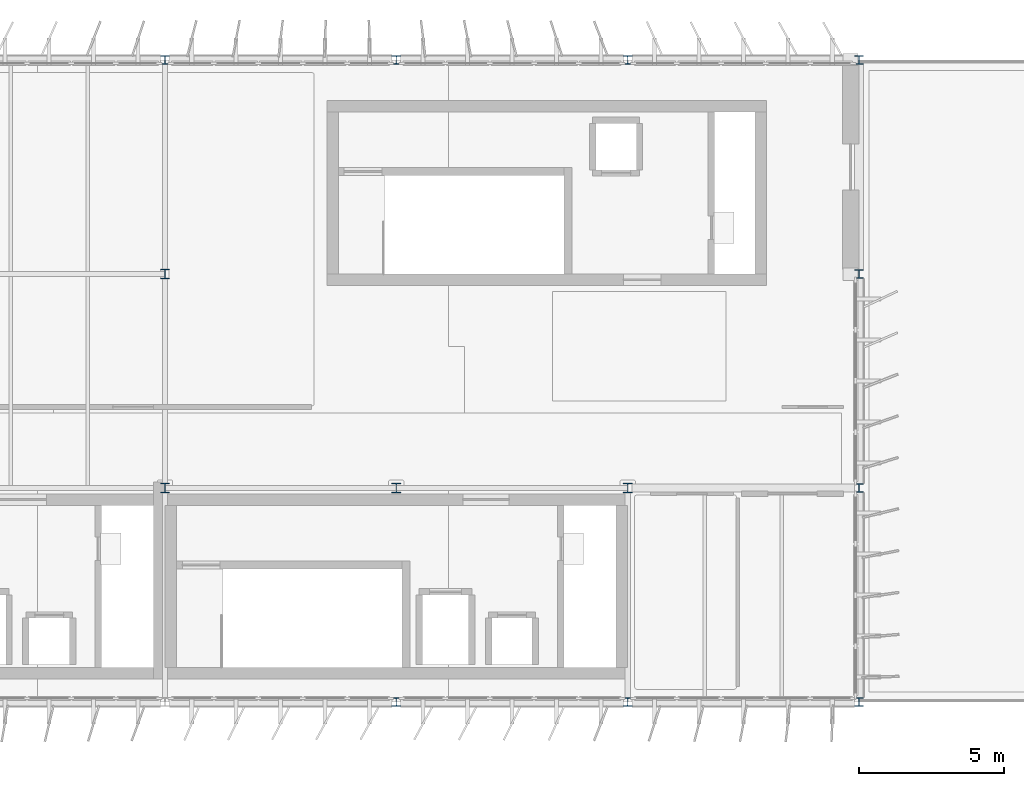
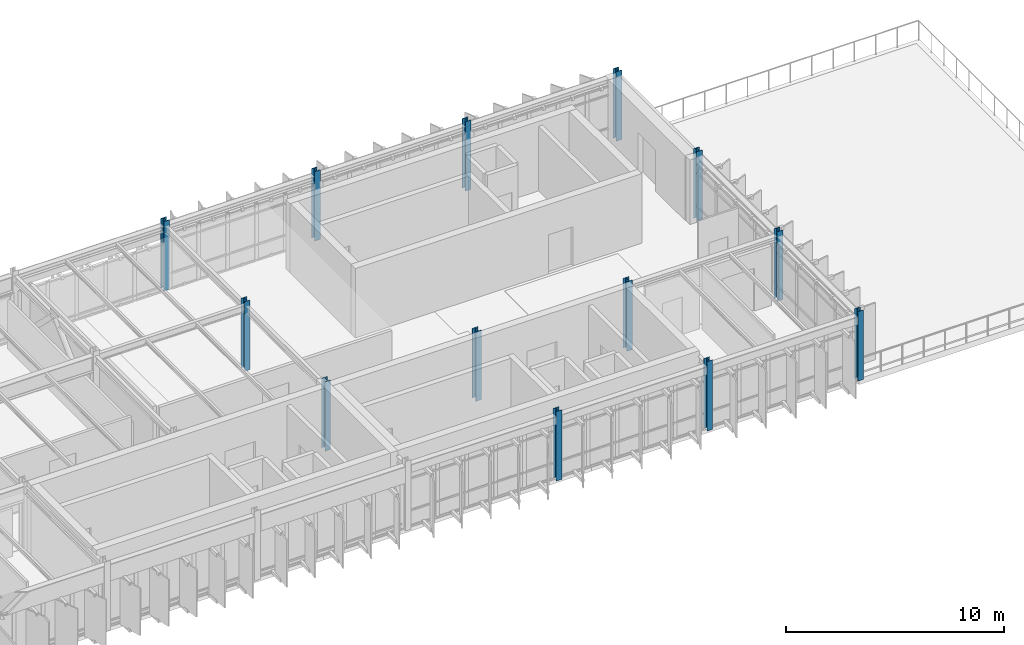
# One storey, part 2 of 20: 13 columns.
"""IFC4 building model written with IfcOpenShell, lengths in metres."""

import ifcopenshell
import ifcopenshell.guid

model = None  # the IFC model being written
_history = None  # IfcOwnerHistory: only IFC2X3 demands one
_inside = {}  # id of a spatial element -> (the spatial element, [elements in it])
_under = {}  # id of a project, library or spatial element -> (it, [spatial elements below it])
_declared = {}  # id of a project -> (the project, [libraries it declares])
_typed = {}  # id of a type object -> (the type object, [elements of that type])
_made_of = {}  # id of a material, layer set ... -> (it, [elements and type objects made of it])


def new_model(schema):
    """Start an empty IFC model of exactly this schema.

    Asked for "IFC4X3", IfcOpenShell would pick the latest addendum, in which some entities
    have other attributes; the version numbers below select the first issue.
    IFC2X3 requires an IfcOwnerHistory on every rooted entity: one is made here for all.
    """
    global model, _history
    if schema == "IFC4X3":
        model = ifcopenshell.file(schema_version=(4, 3, 0, 0))
    else:
        model = ifcopenshell.file(schema=schema)
    _inside.clear()
    _under.clear()
    _declared.clear()
    _typed.clear()
    _made_of.clear()
    _history = None
    if model.schema == "IFC2X3":
        org = make("IfcOrganization", Name="unknown")
        user = make(
            "IfcPersonAndOrganization",
            ThePerson=make("IfcPerson", FamilyName="unknown"),
            TheOrganization=org,
        )
        app = make(
            "IfcApplication",
            ApplicationDeveloper=org,
            Version="unknown",
            ApplicationFullName="unknown",
            ApplicationIdentifier="unknown",
        )
        _history = make(
            "IfcOwnerHistory",
            OwningUser=user,
            OwningApplication=app,
            ChangeAction="ADDED",
            CreationDate=0,
        )
    return model


def make(cls, **values):
    """One entity of the class cls with the attributes given. An attribute that is None is left unset."""
    return model.create_entity(
        cls, **{name: value for name, value in values.items() if value is not None}
    )


def rooted(cls, **values):
    """An entity with a GlobalId (a new one), such as an element, a storey or a relation."""
    return make(cls, GlobalId=ifcopenshell.guid.new(), OwnerHistory=_history, **values)


def si_unit(unit_type, name, prefix=None):
    """IfcSIUnit, for example si_unit("LENGTHUNIT", "METRE", prefix="MILLI")."""
    return make("IfcSIUnit", UnitType=unit_type, Prefix=prefix, Name=name)


def assignment(units):
    """IfcUnitAssignment: the units of a project."""
    return None if units is None else make("IfcUnitAssignment", Units=units)


def point(xyz):
    """IfcCartesianPoint."""
    return None if xyz is None else make("IfcCartesianPoint", Coordinates=xyz)


def direction(xyz):
    """IfcDirection."""
    return None if xyz is None else make("IfcDirection", DirectionRatios=xyz)


def frame(location, z_axis=None, x_axis=None):
    """IfcAxis2Placement3D, a coordinate frame: its origin and axes. An axis left out is left unset."""
    return make(
        "IfcAxis2Placement3D",
        Location=point(location),
        Axis=direction(z_axis),
        RefDirection=direction(x_axis),
    )


def frame_2d(location, x_axis=None):
    """IfcAxis2Placement2D, a coordinate frame in the plane: its origin and x axis."""
    return make(
        "IfcAxis2Placement2D", Location=point(location), RefDirection=direction(x_axis)
    )


def origin():
    """The frame at (0, 0, 0) with its axes left unset."""
    return frame((0.0, 0.0, 0.0))


def origin_2d():
    """The frame at (0, 0) in the plane with its x axis left unset."""
    return frame_2d((0.0, 0.0))


def place(relative_to, where):
    """IfcLocalPlacement: puts the frame where relative to a parent placement (None: the world)."""
    return make(
        "IfcLocalPlacement", PlacementRelTo=relative_to, RelativePlacement=where
    )


def context(
    kind, dimensions, precision=None, world=None, true_north=None, identifier=None
):
    """IfcGeometricRepresentationContext, for example the 3D "Model" context."""
    return make(
        "IfcGeometricRepresentationContext",
        ContextIdentifier=identifier,
        ContextType=kind,
        CoordinateSpaceDimension=dimensions,
        Precision=precision,
        WorldCoordinateSystem=world,
        TrueNorth=true_north,
    )


def subcontext(parent, identifier, kind, view, scale=None):
    """IfcGeometricRepresentationSubContext, for example "Body" below "Model"."""
    return make(
        "IfcGeometricRepresentationSubContext",
        ContextIdentifier=identifier,
        ContextType=kind,
        ParentContext=parent,
        TargetScale=scale,
        TargetView=view,
    )


def project(units=None, contexts=None):
    """IfcProject with its units and contexts."""
    return rooted(
        "IfcProject",
        Name="project",
        RepresentationContexts=contexts,
        UnitsInContext=assignment(units),
    )


def spatial(cls, under=None, at=None, **own):
    """A site, building, storey or space (cls), placed at a placement, below another one or the project."""
    s = rooted(cls, ObjectPlacement=at, **own)
    if under is not None:
        _under.setdefault(under.id(), (under, []))[1].append(s)
    return s


def profile(cls, at=None, kind="AREA", **sizes):
    """A parametric profile (cls). Its sizes go by their IFC names, for example OverallWidth=200.0."""
    return make(cls, ProfileType=kind, Position=at, **sizes)


def i_section(**sizes):
    """IfcIShapeProfileDef."""
    return profile("IfcIShapeProfileDef", **sizes)


def extrude(swept, where, along, depth):
    """IfcExtrudedAreaSolid: the profile swept, set in the frame where, extruded along a direction by depth."""
    return make(
        "IfcExtrudedAreaSolid",
        SweptArea=swept,
        Position=where,
        ExtrudedDirection=direction(along),
        Depth=depth,
    )


def shape(context_of_items, identifier, shape_type, items):
    """IfcShapeRepresentation: the items that make up one representation, for example the "Body"."""
    return make(
        "IfcShapeRepresentation",
        ContextOfItems=context_of_items,
        RepresentationIdentifier=identifier,
        RepresentationType=shape_type,
        Items=items,
    )


def material(Name=None, Category=None):
    """IfcMaterial."""
    return make("IfcMaterial", Name=Name, Category=Category)


def material_profile(
    of_material, cross_section, Name=None, Category=None, Priority=None
):
    """IfcMaterialProfile: a cross section and its material."""
    return make(
        "IfcMaterialProfile",
        Name=Name,
        Material=of_material,
        Profile=cross_section,
        Priority=Priority,
        Category=Category,
    )


def profile_set(profiles, Name=None, composite=None):
    """IfcMaterialProfileSet."""
    return make(
        "IfcMaterialProfileSet",
        Name=Name,
        MaterialProfiles=profiles,
        CompositeProfile=composite,
    )


def made_of(thing, what):
    """Note that an element or type object is made of a material, layer set ...; save() writes the relation."""
    if what is not None:
        _made_of.setdefault(what.id(), (what, []))[1].append(thing)
    return thing


def type_object(cls, material=None, **own):
    """A type object (cls), such as IfcWallType, which elements share."""
    return made_of(rooted(cls, **own), material)


def element(
    cls,
    number,
    at=None,
    inside=None,
    cuts=None,
    type_object=None,
    material=None,
    context=None,
    identifier="Body",
    shape_type=None,
    held_by="IfcProductDefinitionShape",
    body=None,
    shapes=None,
    **own,
):
    """One element of the class cls, such as IfcWall. Its Tag is "e" and its number.

    at: its placement. inside: the storey or other place that contains it. cuts: it is an
    opening in that element (IfcRelVoidsElement). A single representation is given by context,
    identifier, shape_type and body (its items); several are given by shapes. held_by: the class
    of the entity that holds the representations. save() writes the other relations.
    """
    e = rooted(cls, Tag="e%d" % number, ObjectPlacement=at, **own)
    if body is not None:
        shapes = [shape(context, identifier, shape_type, body)]
    if shapes is not None:
        e.Representation = make(held_by, Representations=shapes)
    if inside is not None:
        _inside.setdefault(inside.id(), (inside, []))[1].append(e)
    if cuts is not None:
        rooted(
            "IfcRelVoidsElement", RelatingBuildingElement=cuts, RelatedOpeningElement=e
        )
    if type_object is not None:
        _typed.setdefault(type_object.id(), (type_object, []))[1].append(e)
    return made_of(e, material)


def aggregate(whole, parts):
    """IfcRelAggregates: a whole, such as a stair, and the parts it consists of."""
    return rooted("IfcRelAggregates", RelatingObject=whole, RelatedObjects=parts)


def save(model, path):
    """Write the relations noted so far, then the file.

    IfcRelAggregates (storeys below a building ...), IfcRelContainedInSpatialStructure (elements
    in a storey), IfcRelDefinesByType, IfcRelAssociatesMaterial and IfcRelDeclares: one each for
    every whole, place, type object, material and project.
    """
    for whole, parts in _under.values():
        aggregate(whole, parts)
    for where, things in _inside.values():
        rooted(
            "IfcRelContainedInSpatialStructure",
            RelatedElements=things,
            RelatingStructure=where,
        )
    for kind, things in _typed.values():
        rooted("IfcRelDefinesByType", RelatedObjects=things, RelatingType=kind)
    for what, things in _made_of.values():
        rooted("IfcRelAssociatesMaterial", RelatedObjects=things, RelatingMaterial=what)
    for by, libraries in _declared.values():
        rooted("IfcRelDeclares", RelatingContext=by, RelatedDefinitions=libraries)
    model.write(path)


model = new_model("IFC4")

# Units and contexts
model_context = context("Model", 3, precision=1e-05, world=origin(), true_north=direction((0.0, 1.0)))
body_context = subcontext(model_context, "Body", "Model", "MODEL_VIEW")
ifc_project = project(units=[si_unit("LENGTHUNIT", "METRE"), si_unit("AREAUNIT", "SQUARE_METRE"), si_unit("VOLUMEUNIT", "CUBIC_METRE"), si_unit("PLANEANGLEUNIT", "RADIAN"), si_unit("MASSUNIT", "GRAM", prefix="KILO")], contexts=[model_context])

# Site, building, storey
site_placement = place(None, origin())
site = spatial("IfcSite", under=ifc_project, at=site_placement, CompositionType="ELEMENT")
building_placement = place(site_placement, origin())
building = spatial("IfcBuilding", under=site, at=building_placement, Name="Valkorina Park Police Headquarters", CompositionType="ELEMENT")
storey_placement = place(building_placement, frame((0.0, 0.0, 31.10009765625)))
storey = spatial("IfcBuildingStorey", under=building, at=storey_placement, Name="L08", CompositionType="ELEMENT", Elevation=31.10009765625)

# Columns
ifc_material = material(Name="Steel S355", Category="steel")
ifc_material_profile_1 = material_profile(ifc_material, i_section(OverallWidth=0.300048828125, OverallDepth=0.330078125, WebThickness=0.009521484375, FlangeThickness=0.0166015625, FilletRadius=0.027099609375, at=origin_2d()), Name="HEA 340")
ifc_profile_set_1 = profile_set([ifc_material_profile_1], Name="Steel S355")
column_type_1 = type_object("IfcColumnType", Name="COL-S355-HEA340-INT", PredefinedType="COLUMN", material=ifc_profile_set_1)
for number, where, z_axis, x_axis, name in (
    (1, (32.800048828125, 44.39990234375, 0.0), (0.0, 0.0, 1.0), (1.0, 0.0, 0.0), "L08 Column 1143"),
    (2, (32.800048828125, 51.800048828125, 0.0), (0.0, 0.0, 1.0), (1.0, 0.0, 0.0), "L08 Column 1144"),
    (3, (40.800048828125, 44.39990234375, 0.0), (0.0, 0.0, 1.0), (1.0, 0.0, 0.0), "L08 Column 1147"),
    (4, (48.800048828125, 44.39990234375, 0.0), (0.0, 0.0, 1.0), (1.0, 0.0, 0.0), "L08 Column 1150"),
):
    element("IfcColumn", number, at=place(storey_placement, frame(where, z_axis=z_axis, x_axis=x_axis)), inside=storey, type_object=column_type_1, Name=name, PredefinedType="COLUMN", context=body_context, shape_type="SweptSolid", body=[
        extrude(i_section(OverallWidth=0.300048828125, OverallDepth=0.330078125, WebThickness=0.009521484375, FlangeThickness=0.0166015625, FilletRadius=0.027099609375, at=origin_2d()), origin(), (0.0, 0.0, 1.0), 3.89990234375),
    ])
ifc_material_profile_2 = material_profile(ifc_material, i_section(OverallWidth=0.300048828125, OverallDepth=0.300048828125, WebThickness=0.010986328125, FlangeThickness=0.01904296875, FilletRadius=0.027099609375, at=origin_2d()), Name="HEB 300")
ifc_profile_set_2 = profile_set([ifc_material_profile_2], Name="Steel S355")
column_type_2 = type_object("IfcColumnType", Name="COL-S355-HEB300-EXT", PredefinedType="COLUMN", material=ifc_profile_set_2)
for number, where, z_axis, x_axis, name in (
    (5, (32.800048828125, 59.199951171875, 0.0), (0.0, 0.0, 1.0), (1.0, 0.0, 0.0), "L08 Column 1145"),
    (6, (40.800048828125, 37.0, 0.0), (0.0, 0.0, 1.0), (1.0, 0.0, 0.0), "L08 Column 1146"),
    (7, (40.800048828125, 59.199951171875, 0.0), (0.0, 0.0, 1.0), (1.0, 0.0, 0.0), "L08 Column 1148"),
    (8, (48.800048828125, 37.0, 0.0), (0.0, 0.0, 1.0), (1.0, 0.0, 0.0), "L08 Column 1149"),
    (9, (48.800048828125, 59.199951171875, 0.0), (0.0, 0.0, 1.0), (1.0, 0.0, 0.0), "L08 Column 1151"),
    (10, (56.800048828125, 37.0, 0.0), (0.0, 0.0, 1.0), (1.0, 0.0, 0.0), "L08 Column 1152"),
    (11, (56.800048828125, 44.39990234375, 0.0), (0.0, 0.0, 1.0), (1.0, 0.0, 0.0), "L08 Column 1153"),
    (12, (56.800048828125, 51.800048828125, 0.0), (0.0, 0.0, 1.0), (1.0, 0.0, 0.0), "L08 Column 1154"),
    (13, (56.800048828125, 59.199951171875, 0.0), (0.0, 0.0, 1.0), (1.0, 0.0, 0.0), "L08 Column 1155"),
):
    element("IfcColumn", number, at=place(storey_placement, frame(where, z_axis=z_axis, x_axis=x_axis)), inside=storey, type_object=column_type_2, Name=name, PredefinedType="COLUMN", context=body_context, shape_type="SweptSolid", body=[
        extrude(i_section(OverallWidth=0.300048828125, OverallDepth=0.300048828125, WebThickness=0.010986328125, FlangeThickness=0.01904296875, FilletRadius=0.027099609375, at=origin_2d()), origin(), (0.0, 0.0, 1.0), 3.89990234375),
    ])

save(model, "model.ifc")
